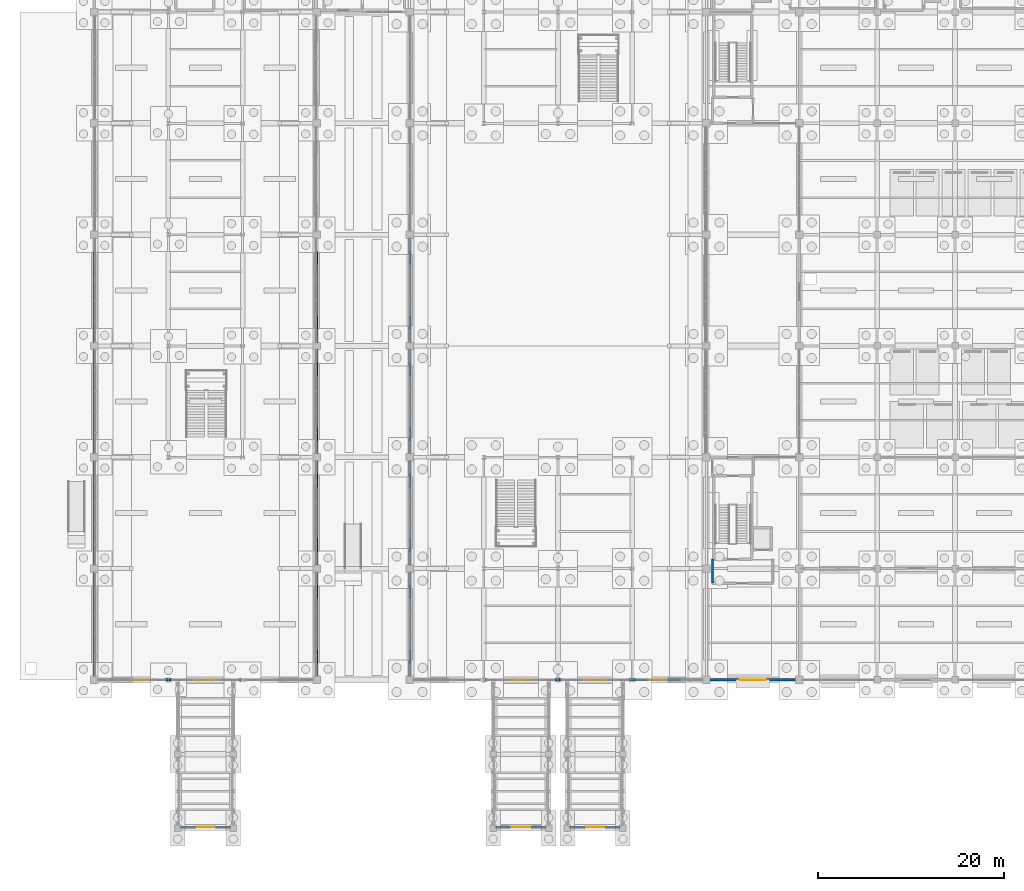
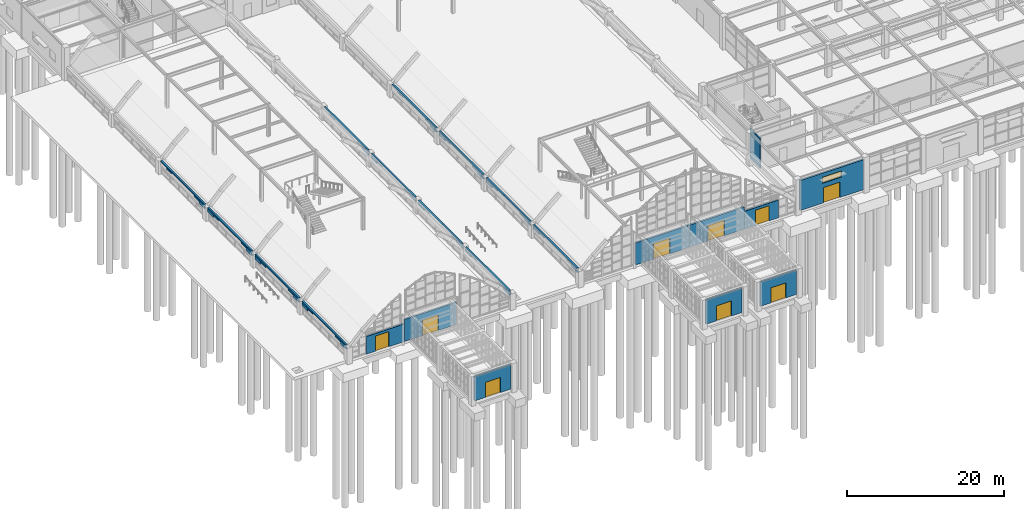
# One storey, part 100 of 129: 67 walls, 9 doors, 1 window, 10 openings.
"""IFC4 building model written with IfcOpenShell, lengths in metres."""

import ifcopenshell
import ifcopenshell.guid

model = None  # the IFC model being written
_history = None  # IfcOwnerHistory: only IFC2X3 demands one
_inside = {}  # id of a spatial element -> (the spatial element, [elements in it])
_under = {}  # id of a project, library or spatial element -> (it, [spatial elements below it])
_declared = {}  # id of a project -> (the project, [libraries it declares])
_typed = {}  # id of a type object -> (the type object, [elements of that type])
_made_of = {}  # id of a material, layer set ... -> (it, [elements and type objects made of it])


def new_model(schema):
    """Start an empty IFC model of exactly this schema.

    Asked for "IFC4X3", IfcOpenShell would pick the latest addendum, in which some entities
    have other attributes; the version numbers below select the first issue.
    IFC2X3 requires an IfcOwnerHistory on every rooted entity: one is made here for all.
    """
    global model, _history
    if schema == "IFC4X3":
        model = ifcopenshell.file(schema_version=(4, 3, 0, 0))
    else:
        model = ifcopenshell.file(schema=schema)
    _inside.clear()
    _under.clear()
    _declared.clear()
    _typed.clear()
    _made_of.clear()
    _history = None
    if model.schema == "IFC2X3":
        org = make("IfcOrganization", Name="unknown")
        user = make(
            "IfcPersonAndOrganization",
            ThePerson=make("IfcPerson", FamilyName="unknown"),
            TheOrganization=org,
        )
        app = make(
            "IfcApplication",
            ApplicationDeveloper=org,
            Version="unknown",
            ApplicationFullName="unknown",
            ApplicationIdentifier="unknown",
        )
        _history = make(
            "IfcOwnerHistory",
            OwningUser=user,
            OwningApplication=app,
            ChangeAction="ADDED",
            CreationDate=0,
        )
    return model


def make(cls, **values):
    """One entity of the class cls with the attributes given. An attribute that is None is left unset."""
    return model.create_entity(
        cls, **{name: value for name, value in values.items() if value is not None}
    )


def rooted(cls, **values):
    """An entity with a GlobalId (a new one), such as an element, a storey or a relation."""
    return make(cls, GlobalId=ifcopenshell.guid.new(), OwnerHistory=_history, **values)


def si_unit(unit_type, name, prefix=None):
    """IfcSIUnit, for example si_unit("LENGTHUNIT", "METRE", prefix="MILLI")."""
    return make("IfcSIUnit", UnitType=unit_type, Prefix=prefix, Name=name)


def assignment(units):
    """IfcUnitAssignment: the units of a project."""
    return None if units is None else make("IfcUnitAssignment", Units=units)


def point(xyz):
    """IfcCartesianPoint."""
    return None if xyz is None else make("IfcCartesianPoint", Coordinates=xyz)


def direction(xyz):
    """IfcDirection."""
    return None if xyz is None else make("IfcDirection", DirectionRatios=xyz)


def frame(location, z_axis=None, x_axis=None):
    """IfcAxis2Placement3D, a coordinate frame: its origin and axes. An axis left out is left unset."""
    return make(
        "IfcAxis2Placement3D",
        Location=point(location),
        Axis=direction(z_axis),
        RefDirection=direction(x_axis),
    )


def frame_2d(location, x_axis=None):
    """IfcAxis2Placement2D, a coordinate frame in the plane: its origin and x axis."""
    return make(
        "IfcAxis2Placement2D", Location=point(location), RefDirection=direction(x_axis)
    )


def origin():
    """The frame at (0, 0, 0) with its axes left unset."""
    return frame((0.0, 0.0, 0.0))


def place(relative_to, where):
    """IfcLocalPlacement: puts the frame where relative to a parent placement (None: the world)."""
    return make(
        "IfcLocalPlacement", PlacementRelTo=relative_to, RelativePlacement=where
    )


def context(
    kind, dimensions, precision=None, world=None, true_north=None, identifier=None
):
    """IfcGeometricRepresentationContext, for example the 3D "Model" context."""
    return make(
        "IfcGeometricRepresentationContext",
        ContextIdentifier=identifier,
        ContextType=kind,
        CoordinateSpaceDimension=dimensions,
        Precision=precision,
        WorldCoordinateSystem=world,
        TrueNorth=true_north,
    )


def subcontext(parent, identifier, kind, view, scale=None):
    """IfcGeometricRepresentationSubContext, for example "Body" below "Model"."""
    return make(
        "IfcGeometricRepresentationSubContext",
        ContextIdentifier=identifier,
        ContextType=kind,
        ParentContext=parent,
        TargetScale=scale,
        TargetView=view,
    )


def project(units=None, contexts=None):
    """IfcProject with its units and contexts."""
    return rooted(
        "IfcProject",
        Name="project",
        RepresentationContexts=contexts,
        UnitsInContext=assignment(units),
    )


def spatial(cls, under=None, at=None, **own):
    """A site, building, storey or space (cls), placed at a placement, below another one or the project."""
    s = rooted(cls, ObjectPlacement=at, **own)
    if under is not None:
        _under.setdefault(under.id(), (under, []))[1].append(s)
    return s


def profile(cls, at=None, kind="AREA", **sizes):
    """A parametric profile (cls). Its sizes go by their IFC names, for example OverallWidth=200.0."""
    return make(cls, ProfileType=kind, Position=at, **sizes)


def rectangle(**sizes):
    """IfcRectangleProfileDef."""
    return profile("IfcRectangleProfileDef", **sizes)


def extrude(swept, where, along, depth):
    """IfcExtrudedAreaSolid: the profile swept, set in the frame where, extruded along a direction by depth."""
    return make(
        "IfcExtrudedAreaSolid",
        SweptArea=swept,
        Position=where,
        ExtrudedDirection=direction(along),
        Depth=depth,
    )


def shape(context_of_items, identifier, shape_type, items):
    """IfcShapeRepresentation: the items that make up one representation, for example the "Body"."""
    return make(
        "IfcShapeRepresentation",
        ContextOfItems=context_of_items,
        RepresentationIdentifier=identifier,
        RepresentationType=shape_type,
        Items=items,
    )


def material(Name=None, Category=None):
    """IfcMaterial."""
    return make("IfcMaterial", Name=Name, Category=Category)


def layer(
    of_material, thickness, ventilated=None, Name=None, Category=None, Priority=None
):
    """IfcMaterialLayer: one layer of a wall or slab, of a material (None: an air gap)."""
    return make(
        "IfcMaterialLayer",
        Material=of_material,
        LayerThickness=thickness,
        IsVentilated=ventilated,
        Name=Name,
        Category=Category,
        Priority=Priority,
    )


def layer_set(layers, Name=None):
    """IfcMaterialLayerSet."""
    return make("IfcMaterialLayerSet", MaterialLayers=layers, LayerSetName=Name)


def made_of(thing, what):
    """Note that an element or type object is made of a material, layer set ...; save() writes the relation."""
    if what is not None:
        _made_of.setdefault(what.id(), (what, []))[1].append(thing)
    return thing


def type_object(cls, material=None, **own):
    """A type object (cls), such as IfcWallType, which elements share."""
    return made_of(rooted(cls, **own), material)


def element(
    cls,
    number,
    at=None,
    inside=None,
    cuts=None,
    type_object=None,
    material=None,
    context=None,
    identifier="Body",
    shape_type=None,
    held_by="IfcProductDefinitionShape",
    body=None,
    shapes=None,
    **own,
):
    """One element of the class cls, such as IfcWall. Its Tag is "e" and its number.

    at: its placement. inside: the storey or other place that contains it. cuts: it is an
    opening in that element (IfcRelVoidsElement). A single representation is given by context,
    identifier, shape_type and body (its items); several are given by shapes. held_by: the class
    of the entity that holds the representations. save() writes the other relations.
    """
    e = rooted(cls, Tag="e%d" % number, ObjectPlacement=at, **own)
    if body is not None:
        shapes = [shape(context, identifier, shape_type, body)]
    if shapes is not None:
        e.Representation = make(held_by, Representations=shapes)
    if inside is not None:
        _inside.setdefault(inside.id(), (inside, []))[1].append(e)
    if cuts is not None:
        rooted(
            "IfcRelVoidsElement", RelatingBuildingElement=cuts, RelatedOpeningElement=e
        )
    if type_object is not None:
        _typed.setdefault(type_object.id(), (type_object, []))[1].append(e)
    return made_of(e, material)


def fill(opening, filler):
    """IfcRelFillsElement: the door or window that sits in an opening."""
    return rooted(
        "IfcRelFillsElement",
        RelatingOpeningElement=opening,
        RelatedBuildingElement=filler,
    )


def aggregate(whole, parts):
    """IfcRelAggregates: a whole, such as a stair, and the parts it consists of."""
    return rooted("IfcRelAggregates", RelatingObject=whole, RelatedObjects=parts)


def save(model, path):
    """Write the relations noted so far, then the file.

    IfcRelAggregates (storeys below a building ...), IfcRelContainedInSpatialStructure (elements
    in a storey), IfcRelDefinesByType, IfcRelAssociatesMaterial and IfcRelDeclares: one each for
    every whole, place, type object, material and project.
    """
    for whole, parts in _under.values():
        aggregate(whole, parts)
    for where, things in _inside.values():
        rooted(
            "IfcRelContainedInSpatialStructure",
            RelatedElements=things,
            RelatingStructure=where,
        )
    for kind, things in _typed.values():
        rooted("IfcRelDefinesByType", RelatedObjects=things, RelatingType=kind)
    for what, things in _made_of.values():
        rooted("IfcRelAssociatesMaterial", RelatedObjects=things, RelatingMaterial=what)
    for by, libraries in _declared.values():
        rooted("IfcRelDeclares", RelatingContext=by, RelatedDefinitions=libraries)
    model.write(path)


model = new_model("IFC4")

# Units and contexts
model_context = context("Model", 3, precision=1e-05, world=origin(), true_north=direction((0.0, 1.0)))
body_context = subcontext(model_context, "Body", "Model", "MODEL_VIEW")
ifc_project = project(units=[si_unit("LENGTHUNIT", "METRE"), si_unit("AREAUNIT", "SQUARE_METRE"), si_unit("VOLUMEUNIT", "CUBIC_METRE"), si_unit("PLANEANGLEUNIT", "RADIAN"), si_unit("MASSUNIT", "GRAM", prefix="KILO")], contexts=[model_context])

# Site, building, storey
site_placement = place(None, origin())
site = spatial("IfcSite", under=ifc_project, at=site_placement, CompositionType="ELEMENT")
building_placement = place(site_placement, origin())
building = spatial("IfcBuilding", under=site, at=building_placement, Name="Sitalva Quay Ferry Terminal", CompositionType="ELEMENT")
storey_placement = place(building_placement, origin())
storey = spatial("IfcBuildingStorey", under=building, at=storey_placement, Name="L01", CompositionType="ELEMENT", Elevation=0.0)

# Walls
ifc_material_1 = material(Name="Concrete C40/50", Category="concrete")
ifc_layer_1 = layer(ifc_material_1, 0.215087890625)
ifc_layer_set_1 = layer_set([ifc_layer_1], Name="Concrete C40/50")
wall_type_1 = type_object("IfcWallType", Name="Wall_ArchHaunchIn_C40", PredefinedType="SOLIDWALL", material=ifc_layer_set_1)
for number, where, z_axis, x_axis, name in (
    (1, (8.0, 7.85009765625, 1.639892578125), (0.0, 0.0, 1.0), (0.0, 1.0, 0.0), "V2-W shallow-arch inner haunch S EW-L01-008"),
    (2, (8.0, 14.85009765625, 1.639892578125), (0.0, 0.0, 1.0), (0.0, 1.0, 0.0), "V2-W shallow-arch inner haunch N EW-L01-009"),
    (3, (32.0, 7.85009765625, 1.639892578125), (0.0, 0.0, 1.0), (0.0, 1.0, 0.0), "V2-E shallow-arch inner haunch S EW-L01-013"),
    (4, (32.0, 14.85009765625, 1.639892578125), (0.0, 0.0, 1.0), (0.0, 1.0, 0.0), "V2-E shallow-arch inner haunch N EW-L01-014"),
    (5, (42.0, 7.85009765625, 1.639892578125), (0.0, 0.0, 1.0), (0.0, 1.0, 0.0), "V1-W shallow-arch inner haunch S EW-L01-018"),
    (6, (42.0, 14.85009765625, 1.639892578125), (0.0, 0.0, 1.0), (0.0, 1.0, 0.0), "V1-W shallow-arch inner haunch N EW-L01-019"),
    (7, (8.0, 19.85009765625, 1.639892578125), (0.0, 0.0, 1.0), (0.0, 1.0, 0.0), "V2-W shallow-arch inner haunch S EW-L01-023"),
    (8, (8.0, 26.85009765625, 1.639892578125), (0.0, 0.0, 1.0), (0.0, 1.0, 0.0), "V2-W shallow-arch inner haunch N EW-L01-024"),
    (9, (32.0, 19.85009765625, 1.639892578125), (0.0, 0.0, 1.0), (0.0, 1.0, 0.0), "V2-E shallow-arch inner haunch S EW-L01-028"),
    (10, (32.0, 26.85009765625, 1.639892578125), (0.0, 0.0, 1.0), (0.0, 1.0, 0.0), "V2-E shallow-arch inner haunch N EW-L01-029"),
    (11, (42.0, 19.85009765625, 1.639892578125), (0.0, 0.0, 1.0), (0.0, 1.0, 0.0), "V1-W shallow-arch inner haunch S EW-L01-033"),
    (12, (42.0, 26.85009765625, 1.639892578125), (0.0, 0.0, 1.0), (0.0, 1.0, 0.0), "V1-W shallow-arch inner haunch N EW-L01-034"),
    (13, (8.0, 31.85009765625, 1.639892578125), (0.0, 0.0, 1.0), (0.0, 1.0, 0.0), "V2-W shallow-arch inner haunch S EW-L01-038"),
    (14, (8.0, 38.85009765625, 1.639892578125), (0.0, 0.0, 1.0), (0.0, 1.0, 0.0), "V2-W shallow-arch inner haunch N EW-L01-039"),
    (15, (32.0, 31.85009765625, 1.639892578125), (0.0, 0.0, 1.0), (0.0, 1.0, 0.0), "V2-E shallow-arch inner haunch S EW-L01-043"),
    (16, (32.0, 38.85009765625, 1.639892578125), (0.0, 0.0, 1.0), (0.0, 1.0, 0.0), "V2-E shallow-arch inner haunch N EW-L01-044"),
    (17, (42.0, 31.85009765625, 1.639892578125), (0.0, 0.0, 1.0), (0.0, 1.0, 0.0), "V1-W shallow-arch inner haunch S EW-L01-048"),
    (18, (42.0, 38.85009765625, 1.639892578125), (0.0, 0.0, 1.0), (0.0, 1.0, 0.0), "V1-W shallow-arch inner haunch N EW-L01-049"),
    (19, (8.0, 43.85009765625, 1.639892578125), (0.0, 0.0, 1.0), (0.0, 1.0, 0.0), "V2-W shallow-arch inner haunch S EW-L01-053"),
    (20, (8.0, 50.85009765625, 1.639892578125), (0.0, 0.0, 1.0), (0.0, 1.0, 0.0), "V2-W shallow-arch inner haunch N EW-L01-054"),
    (21, (32.0, 43.85009765625, 1.639892578125), (0.0, 0.0, 1.0), (0.0, 1.0, 0.0), "V2-E shallow-arch inner haunch S EW-L01-058"),
    (22, (32.0, 50.85009765625, 1.639892578125), (0.0, 0.0, 1.0), (0.0, 1.0, 0.0), "V2-E shallow-arch inner haunch N EW-L01-059"),
    (23, (42.0, 43.85009765625, 1.639892578125), (0.0, 0.0, 1.0), (0.0, 1.0, 0.0), "V1-W shallow-arch inner haunch S EW-L01-063"),
    (24, (42.0, 50.85009765625, 1.639892578125), (0.0, 0.0, 1.0), (0.0, 1.0, 0.0), "V1-W shallow-arch inner haunch N EW-L01-064"),
):
    element("IfcWall", number, at=place(storey_placement, frame(where, z_axis=z_axis, x_axis=x_axis)), inside=storey, type_object=wall_type_1, Name=name, PredefinedType="SOLIDWALL", context=body_context, shape_type="SweptSolid", body=[
        extrude(rectangle(XDim=1.2998046875, YDim=0.215087890625, at=frame_2d((0.64990234375, 0.0))), origin(), (0.0, 0.0, 1.0), 0.239990234375),
    ])
ifc_material_2 = material(Name="Concrete C40/50", Category="concrete")
ifc_layer_2 = layer(ifc_material_2, 0.235107421875)
ifc_layer_set_2 = layer_set([ifc_layer_2], Name="Concrete C40/50")
wall_type_2 = type_object("IfcWallType", Name="Wall_ArchHaunchOut_C40", PredefinedType="SOLIDWALL", material=ifc_layer_set_2)
for number, where, z_axis, x_axis, name in (
    (25, (8.0, 6.39990234375, 1.3798828125), (0.0, 0.0, 1.0), (0.0, 1.0, 0.0), "V2-W shallow-arch outer haunch S EW-L01-007"),
    (26, (8.0, 16.14990234375, 1.3798828125), (0.0, 0.0, 1.0), (0.0, 1.0, 0.0), "V2-W shallow-arch outer haunch N EW-L01-010"),
    (27, (32.0, 6.39990234375, 1.3798828125), (0.0, 0.0, 1.0), (0.0, 1.0, 0.0), "V2-E shallow-arch outer haunch S EW-L01-012"),
    (28, (32.0, 16.14990234375, 1.3798828125), (0.0, 0.0, 1.0), (0.0, 1.0, 0.0), "V2-E shallow-arch outer haunch N EW-L01-015"),
    (29, (42.0, 6.39990234375, 1.3798828125), (0.0, 0.0, 1.0), (0.0, 1.0, 0.0), "V1-W shallow-arch outer haunch S EW-L01-017"),
    (30, (42.0, 16.14990234375, 1.3798828125), (0.0, 0.0, 1.0), (0.0, 1.0, 0.0), "V1-W shallow-arch outer haunch N EW-L01-020"),
    (31, (8.0, 18.39990234375, 1.3798828125), (0.0, 0.0, 1.0), (0.0, 1.0, 0.0), "V2-W shallow-arch outer haunch S EW-L01-022"),
    (32, (8.0, 28.14990234375, 1.3798828125), (0.0, 0.0, 1.0), (0.0, 1.0, 0.0), "V2-W shallow-arch outer haunch N EW-L01-025"),
    (33, (32.0, 18.39990234375, 1.3798828125), (0.0, 0.0, 1.0), (0.0, 1.0, 0.0), "V2-E shallow-arch outer haunch S EW-L01-027"),
    (34, (32.0, 28.14990234375, 1.3798828125), (0.0, 0.0, 1.0), (0.0, 1.0, 0.0), "V2-E shallow-arch outer haunch N EW-L01-030"),
    (35, (42.0, 18.39990234375, 1.3798828125), (0.0, 0.0, 1.0), (0.0, 1.0, 0.0), "V1-W shallow-arch outer haunch S EW-L01-032"),
    (36, (42.0, 28.14990234375, 1.3798828125), (0.0, 0.0, 1.0), (0.0, 1.0, 0.0), "V1-W shallow-arch outer haunch N EW-L01-035"),
    (37, (8.0, 30.39990234375, 1.3798828125), (0.0, 0.0, 1.0), (0.0, 1.0, 0.0), "V2-W shallow-arch outer haunch S EW-L01-037"),
    (38, (8.0, 40.14990234375, 1.3798828125), (0.0, 0.0, 1.0), (0.0, 1.0, 0.0), "V2-W shallow-arch outer haunch N EW-L01-040"),
    (39, (32.0, 30.39990234375, 1.3798828125), (0.0, 0.0, 1.0), (0.0, 1.0, 0.0), "V2-E shallow-arch outer haunch S EW-L01-042"),
    (40, (32.0, 40.14990234375, 1.3798828125), (0.0, 0.0, 1.0), (0.0, 1.0, 0.0), "V2-E shallow-arch outer haunch N EW-L01-045"),
    (41, (42.0, 30.39990234375, 1.3798828125), (0.0, 0.0, 1.0), (0.0, 1.0, 0.0), "V1-W shallow-arch outer haunch S EW-L01-047"),
    (42, (42.0, 40.14990234375, 1.3798828125), (0.0, 0.0, 1.0), (0.0, 1.0, 0.0), "V1-W shallow-arch outer haunch N EW-L01-050"),
    (43, (8.0, 42.39990234375, 1.3798828125), (0.0, 0.0, 1.0), (0.0, 1.0, 0.0), "V2-W shallow-arch outer haunch S EW-L01-052"),
    (44, (32.0, 42.39990234375, 1.3798828125), (0.0, 0.0, 1.0), (0.0, 1.0, 0.0), "V2-E shallow-arch outer haunch S EW-L01-057"),
    (45, (42.0, 42.39990234375, 1.3798828125), (0.0, 0.0, 1.0), (0.0, 1.0, 0.0), "V1-W shallow-arch outer haunch S EW-L01-062"),
):
    element("IfcWall", number, at=place(storey_placement, frame(where, z_axis=z_axis, x_axis=x_axis)), inside=storey, type_object=wall_type_2, Name=name, PredefinedType="SOLIDWALL", context=body_context, shape_type="SweptSolid", body=[
        extrude(rectangle(XDim=1.4501953125, YDim=0.235107421875, at=frame_2d((0.72509765625, 0.0))), origin(), (0.0, 0.0, 1.0), 0.5),
    ])
ifc_material_3 = material(Name="Concrete C40/50", Category="concrete")
ifc_layer_3 = layer(ifc_material_3, 0.2451171875)
ifc_layer_set_3 = layer_set([ifc_layer_3], Name="Concrete C40/50")
wall_type_3 = type_object("IfcWallType", Name="Wall_ArchSpandrel_C40", PredefinedType="SOLIDWALL", material=ifc_layer_set_3)
for number, where, z_axis, x_axis, name in (
    (46, (8.0, 6.39990234375, 1.8798828125), (0.0, 0.0, 1.0), (0.0, 1.0, 0.0), "V2-W shallow-arch Concrete C40/50 spandrel fascia EW-L01-006"),
    (47, (32.0, 6.39990234375, 1.8798828125), (0.0, 0.0, 1.0), (0.0, 1.0, 0.0), "V2-E shallow-arch Concrete C40/50 spandrel fascia EW-L01-011"),
    (48, (42.0, 6.39990234375, 1.8798828125), (0.0, 0.0, 1.0), (0.0, 1.0, 0.0), "V1-W shallow-arch Concrete C40/50 spandrel fascia EW-L01-016"),
    (49, (8.0, 18.39990234375, 1.8798828125), (0.0, 0.0, 1.0), (0.0, 1.0, 0.0), "V2-W shallow-arch Concrete C40/50 spandrel fascia EW-L01-021"),
    (50, (32.0, 18.39990234375, 1.8798828125), (0.0, 0.0, 1.0), (0.0, 1.0, 0.0), "V2-E shallow-arch Concrete C40/50 spandrel fascia EW-L01-026"),
    (51, (42.0, 18.39990234375, 1.8798828125), (0.0, 0.0, 1.0), (0.0, 1.0, 0.0), "V1-W shallow-arch Concrete C40/50 spandrel fascia EW-L01-031"),
    (52, (8.0, 30.39990234375, 1.8798828125), (0.0, 0.0, 1.0), (0.0, 1.0, 0.0), "V2-W shallow-arch Concrete C40/50 spandrel fascia EW-L01-036"),
    (53, (32.0, 30.39990234375, 1.8798828125), (0.0, 0.0, 1.0), (0.0, 1.0, 0.0), "V2-E shallow-arch Concrete C40/50 spandrel fascia EW-L01-041"),
    (54, (42.0, 30.39990234375, 1.8798828125), (0.0, 0.0, 1.0), (0.0, 1.0, 0.0), "V1-W shallow-arch Concrete C40/50 spandrel fascia EW-L01-046"),
    (55, (8.0, 42.39990234375, 1.8798828125), (0.0, 0.0, 1.0), (0.0, 1.0, 0.0), "V2-W shallow-arch Concrete C40/50 spandrel fascia EW-L01-051"),
    (56, (32.0, 42.39990234375, 1.8798828125), (0.0, 0.0, 1.0), (0.0, 1.0, 0.0), "V2-E shallow-arch Concrete C40/50 spandrel fascia EW-L01-056"),
    (57, (42.0, 42.39990234375, 1.8798828125), (0.0, 0.0, 1.0), (0.0, 1.0, 0.0), "V1-W shallow-arch Concrete C40/50 spandrel fascia EW-L01-061"),
):
    element("IfcWall", number, at=place(storey_placement, frame(where, z_axis=z_axis, x_axis=x_axis)), inside=storey, type_object=wall_type_3, Name=name, PredefinedType="SOLIDWALL", context=body_context, shape_type="SweptSolid", body=[
        extrude(rectangle(XDim=11.2001953125, YDim=0.2451171875, at=frame_2d((5.60009765625, 0.0))), origin(), (0.0, 0.0, 1.0), 0.22021484375),
    ])

# Wall, opening, door
ifc_material_4 = material(Name="Marine Concrete C40/50", Category="concrete")
ifc_layer_4 = layer(ifc_material_4, 0.280029296875)
ifc_layer_set_4 = layer_set([ifc_layer_4], Name="Marine Concrete C40/50")
wall_type_4 = type_object("IfcWallType", Name="Wall_ExtMarine_280", PredefinedType="SOLIDWALL", material=ifc_layer_set_4)
wall_1_placement = place(storey_placement, frame((17.3349609375, -9.8798828125, 0.0), z_axis=(0.0, 0.0, 1.0), x_axis=(1.0, 0.0, 0.0)))
wall_1 = element("IfcWall", 58, at=wall_1_placement, inside=storey, type_object=wall_type_4, Name="Boarding bridge BB1 marine berth portal EW-L01-111", PredefinedType="SOLIDWALL", context=body_context, shape_type="SweptSolid", body=[
    extrude(rectangle(XDim=5.330078125, YDim=0.280029296875, at=frame_2d((2.6650390625, 0.0))), origin(), (0.0, 0.0, 1.0), 3.77197265625),
])
opening_1_placement = place(wall_1_placement, frame((1.56494140625, 0.0, 0.0)))
opening_1 = element("IfcOpeningElement", 59, at=opening_1_placement, cuts=wall_1, Name="Opening ED-L01-006", PredefinedType="OPENING", context=body_context, shape_type="SweptSolid", body=[
    extrude(rectangle(XDim=2.199951171875, YDim=2.35009765625, at=frame_2d((1.10009765625, 1.175048828125))), frame((0.0, 0.14990234375, 0.0), z_axis=(0.0, -1.0, 0.0), x_axis=(1.0, 0.0, 0.0)), (0.0, 0.0, 1.0), 0.300048828125),
])
ifc_material_5 = material(Name="Marine Anodised Aluminium", Category="aluminium")
door_type_1 = type_object("IfcDoorType", Name="Door_BoardingGate_2200x2350", OperationType="SLIDING_TO_LEFT", PredefinedType="DOOR", material=ifc_material_5)
door_1_placement = place(opening_1_placement, origin())
door_1 = element("IfcDoor", 60, at=door_1_placement, inside=storey, type_object=door_type_1, Name="EDOOR-ED-L01-006 Ferry pontoon passenger embarkation door BB1 ED-L01-006", OperationType="SLIDING_TO_LEFT", OverallHeight=2.35009765625, OverallWidth=2.199951171875, PredefinedType="DOOR", context=body_context, shape_type="SweptSolid", body=[
    extrude(rectangle(XDim=2.199951171875, YDim=2.35009765625, at=frame_2d((1.10009765625, 1.175048828125))), frame((0.0, 0.02490234375, 0.0), z_axis=(0.0, -1.0, 0.0), x_axis=(1.0, 0.0, 0.0)), (0.0, 0.0, 1.0), 0.050048828125),
])
fill(opening_1, door_1)

wall_2_placement = place(storey_placement, frame((51.3349609375, -9.8798828125, 0.0), z_axis=(0.0, 0.0, 1.0), x_axis=(1.0, 0.0, 0.0)))
wall_2 = element("IfcWall", 61, at=wall_2_placement, inside=storey, type_object=wall_type_4, Name="Boarding bridge BB2 marine berth portal EW-L01-112", PredefinedType="SOLIDWALL", context=body_context, shape_type="SweptSolid", body=[
    extrude(rectangle(XDim=5.330078125, YDim=0.280029296875, at=frame_2d((2.6650390625, 0.0))), origin(), (0.0, 0.0, 1.0), 3.77197265625),
])
opening_2_placement = place(wall_2_placement, frame((1.56494140625, 0.0, 0.0)))
opening_2 = element("IfcOpeningElement", 62, at=opening_2_placement, cuts=wall_2, Name="Opening ED-L01-007", PredefinedType="OPENING", context=body_context, shape_type="SweptSolid", body=[
    extrude(rectangle(XDim=2.199951171875, YDim=2.35009765625, at=frame_2d((1.10009765625, 1.175048828125))), frame((0.0, 0.14990234375, 0.0), z_axis=(0.0, -1.0, 0.0), x_axis=(1.0, 0.0, 0.0)), (0.0, 0.0, 1.0), 0.300048828125),
])
door_2_placement = place(opening_2_placement, origin())
door_2 = element("IfcDoor", 63, at=door_2_placement, inside=storey, type_object=door_type_1, Name="EDOOR-ED-L01-007 Ferry pontoon passenger embarkation door BB2 ED-L01-007", OperationType="SLIDING_TO_LEFT", OverallHeight=2.35009765625, OverallWidth=2.199951171875, PredefinedType="DOOR", context=body_context, shape_type="SweptSolid", body=[
    extrude(rectangle(XDim=2.199951171875, YDim=2.35009765625, at=frame_2d((1.10009765625, 1.175048828125))), frame((0.0, 0.02490234375, 0.0), z_axis=(0.0, -1.0, 0.0), x_axis=(1.0, 0.0, 0.0)), (0.0, 0.0, 1.0), 0.050048828125),
])
fill(opening_2, door_2)

wall_3_placement = place(storey_placement, frame((59.3349609375, -9.8798828125, 0.0), z_axis=(0.0, 0.0, 1.0), x_axis=(1.0, 0.0, 0.0)))
wall_3 = element("IfcWall", 64, at=wall_3_placement, inside=storey, type_object=wall_type_4, Name="Boarding bridge BB3 marine berth portal EW-L01-113", PredefinedType="SOLIDWALL", context=body_context, shape_type="SweptSolid", body=[
    extrude(rectangle(XDim=5.330078125, YDim=0.280029296875, at=frame_2d((2.6650390625, 0.0))), origin(), (0.0, 0.0, 1.0), 3.77197265625),
])
opening_3_placement = place(wall_3_placement, frame((1.56494140625, 0.0, 0.0)))
opening_3 = element("IfcOpeningElement", 65, at=opening_3_placement, cuts=wall_3, Name="Opening ED-L01-008", PredefinedType="OPENING", context=body_context, shape_type="SweptSolid", body=[
    extrude(rectangle(XDim=2.199951171875, YDim=2.35009765625, at=frame_2d((1.10009765625, 1.175048828125))), frame((0.0, 0.14990234375, 0.0), z_axis=(0.0, -1.0, 0.0), x_axis=(1.0, 0.0, 0.0)), (0.0, 0.0, 1.0), 0.300048828125),
])
door_3_placement = place(opening_3_placement, origin())
door_3 = element("IfcDoor", 66, at=door_3_placement, inside=storey, type_object=door_type_1, Name="EDOOR-ED-L01-008 Ferry pontoon passenger embarkation door BB3 ED-L01-008", OperationType="SLIDING_TO_LEFT", OverallHeight=2.35009765625, OverallWidth=2.199951171875, PredefinedType="DOOR", context=body_context, shape_type="SweptSolid", body=[
    extrude(rectangle(XDim=2.199951171875, YDim=2.35009765625, at=frame_2d((1.10009765625, 1.175048828125))), frame((0.0, 0.02490234375, 0.0), z_axis=(0.0, -1.0, 0.0), x_axis=(1.0, 0.0, 0.0)), (0.0, 0.0, 1.0), 0.050048828125),
])
fill(opening_3, door_3)

# Wall, openings, door, window
wall_4_placement = place(storey_placement, frame((83.64990234375, 6.0, 0.0), z_axis=(0.0, 0.0, 1.0), x_axis=(-1.0, 0.0, 0.0)))
wall_4 = element("IfcWall", 67, at=wall_4_placement, inside=storey, type_object=wall_type_4, Name="South-east quay concourse portal EW-L01-114", PredefinedType="SOLIDWALL", context=body_context, shape_type="SweptSolid", body=[
    extrude(rectangle(XDim=9.2998046875, YDim=0.280029296875, at=frame_2d((4.64990234375, 0.0))), origin(), (0.0, 0.0, 1.0), 4.657958984375),
])
opening_4_placement = place(wall_4_placement, frame((3.449951171875, 0.0, 0.0)))
opening_4 = element("IfcOpeningElement", 68, at=opening_4_placement, cuts=wall_4, Name="Opening ED-L01-009", PredefinedType="OPENING", context=body_context, shape_type="SweptSolid", body=[
    extrude(rectangle(XDim=2.39990234375, YDim=2.39990234375, at=frame_2d((1.199951171875, 1.199951171875))), frame((0.0, 0.14990234375, 0.0), z_axis=(0.0, -1.0, 0.0), x_axis=(1.0, 0.0, 0.0)), (0.0, 0.0, 1.0), 0.300048828125),
])
opening_5_placement = place(wall_4_placement, frame((3.25, 0.0, 3.10009765625)))
opening_5 = element("IfcOpeningElement", 69, at=opening_5_placement, cuts=wall_4, Name="Opening WN-L01-001", PredefinedType="OPENING", context=body_context, shape_type="SweptSolid", body=[
    extrude(rectangle(XDim=2.800048828125, YDim=0.949951171875, at=frame_2d((1.39990234375, 0.47509765625))), frame((0.0, 0.14990234375, 0.0), z_axis=(0.0, -1.0, 0.0), x_axis=(1.0, 0.0, 0.0)), (0.0, 0.0, 1.0), 0.300048828125),
])
ifc_material_6 = material(Name="Anodised Aluminium & Toughened Glass", Category="aluminium")
door_type_2 = type_object("IfcDoorType", Name="Door_Entrance_2400x2400", OperationType="DOUBLE_DOOR_SINGLE_SWING", PredefinedType="DOOR", material=ifc_material_6)
door_4_placement = place(opening_4_placement, origin())
door_4 = element("IfcDoor", 70, at=door_4_placement, inside=storey, type_object=door_type_2, Name="EDOOR-ED-L01-009 South-east quay passenger concourse exit door ED-L01-009", OperationType="DOUBLE_DOOR_SINGLE_SWING", OverallHeight=2.39990234375, OverallWidth=2.39990234375, PredefinedType="DOOR", context=body_context, shape_type="SweptSolid", body=[
    extrude(rectangle(XDim=2.39990234375, YDim=2.39990234375, at=frame_2d((1.199951171875, 1.199951171875))), frame((0.0, 0.02490234375, 0.0), z_axis=(0.0, -1.0, 0.0), x_axis=(1.0, 0.0, 0.0)), (0.0, 0.0, 1.0), 0.050048828125),
])
fill(opening_4, door_4)
ifc_material_7 = material(Name="Anodised Aluminium & Low-E Glass", Category="aluminium")
window_type = type_object("IfcWindowType", Name="Win_Clerestory_2800x950", PartitioningType="SINGLE_PANEL", PredefinedType="WINDOW", material=ifc_material_7)
window_placement = place(opening_5_placement, origin())
window = element("IfcWindow", 71, at=window_placement, inside=storey, type_object=window_type, Name="Embarkation transom window WN-L01-001", OverallHeight=0.949951171875, OverallWidth=2.800048828125, PartitioningType="SINGLE_PANEL", PredefinedType="WINDOW", context=body_context, shape_type="SweptSolid", body=[
    extrude(rectangle(XDim=2.800048828125, YDim=0.949951171875, at=frame_2d((1.39990234375, 0.47509765625))), frame((0.0, 0.030029296875, 0.0), z_axis=(0.0, -1.0, 0.0), x_axis=(1.0, 0.0, 0.0)), (0.0, 0.0, 1.0), 0.06005859375),
])
fill(opening_5, window)

# Wall, opening, door
ifc_material_8 = material(Name="Concrete C40/50", Category="concrete")
ifc_layer_5 = layer(ifc_material_8, 0.260009765625)
ifc_layer_set_5 = layer_set([ifc_layer_5], Name="Concrete C40/50")
wall_type_5 = type_object("IfcWallType", Name="Wall_ExtSolid_260", PredefinedType="SOLIDWALL", material=ifc_layer_set_5)
wall_5_placement = place(storey_placement, frame((10.60009765625, 6.0, 0.0), z_axis=(0.0, 0.0, 1.0), x_axis=(1.0, 0.0, 0.0)))
wall_5 = element("IfcWall", 72, at=wall_5_placement, inside=storey, type_object=wall_type_5, Name="V2 south quay entrance portal EW-L01-001", PredefinedType="SOLIDWALL", context=body_context, shape_type="SweptSolid", body=[
    extrude(rectangle(XDim=5.583984375, YDim=0.260009765625, at=frame_2d((2.7919921875, 0.0))), origin(), (0.0, 0.0, 1.0), 2.75),
])
opening_6_placement = place(wall_5_placement, frame((1.300048828125, 0.0, 0.0)))
opening_6 = element("IfcOpeningElement", 73, at=opening_6_placement, cuts=wall_5, Name="Opening ED-L01-001", PredefinedType="OPENING", context=body_context, shape_type="SweptSolid", body=[
    extrude(rectangle(XDim=2.0, YDim=2.35009765625, at=frame_2d((1.0, 1.175048828125))), frame((0.0, 0.139892578125, 0.0), z_axis=(0.0, -1.0, 0.0), x_axis=(1.0, 0.0, 0.0)), (0.0, 0.0, 1.0), 0.280029296875),
])
ifc_material_9 = material(Name="Anodised Aluminium & Toughened Glass", Category="aluminium")
door_type_3 = type_object("IfcDoorType", Name="Door_DoubleGlazed_2000x2350", OperationType="DOUBLE_DOOR_SINGLE_SWING", PredefinedType="DOOR", material=ifc_material_9)
door_5_placement = place(opening_6_placement, origin())
door_5 = element("IfcDoor", 74, at=door_5_placement, inside=storey, type_object=door_type_3, Name="EDOOR-ED-L01-001 V2 south river quay entrance door ED-L01-001", OperationType="DOUBLE_DOOR_SINGLE_SWING", OverallHeight=2.35009765625, OverallWidth=2.0, PredefinedType="DOOR", context=body_context, shape_type="SweptSolid", body=[
    extrude(rectangle(XDim=2.0, YDim=2.35009765625, at=frame_2d((1.0, 1.175048828125))), frame((0.0, 0.02490234375, 0.0), z_axis=(0.0, -1.0, 0.0), x_axis=(1.0, 0.0, 0.0)), (0.0, 0.0, 1.0), 0.050048828125),
])
fill(opening_6, door_5)

wall_6_placement = place(storey_placement, frame((16.172119140625, 6.0, 0.0), z_axis=(0.0, 0.0, 1.0), x_axis=(1.0, 0.0, 0.0)))
wall_6 = element("IfcWall", 75, at=wall_6_placement, inside=storey, type_object=wall_type_5, Name="V2 south BB1 embarkation portal EW-L01-002", PredefinedType="SOLIDWALL", context=body_context, shape_type="SweptSolid", body=[
    extrude(rectangle(XDim=7.656982421875, YDim=0.260009765625, at=frame_2d((3.82861328125, 0.0))), origin(), (0.0, 0.0, 1.0), 3.43505859375),
])
opening_7_placement = place(wall_6_placement, frame((2.6279296875, 0.0, 0.0)))
opening_7 = element("IfcOpeningElement", 76, at=opening_7_placement, cuts=wall_6, Name="Opening ED-L01-002", PredefinedType="OPENING", context=body_context, shape_type="SweptSolid", body=[
    extrude(rectangle(XDim=2.39990234375, YDim=2.39990234375, at=frame_2d((1.199951171875, 1.199951171875))), frame((0.0, 0.139892578125, 0.0), z_axis=(0.0, -1.0, 0.0), x_axis=(1.0, 0.0, 0.0)), (0.0, 0.0, 1.0), 0.280029296875),
])
door_6_placement = place(opening_7_placement, origin())
door_6 = element("IfcDoor", 77, at=door_6_placement, inside=storey, type_object=door_type_2, Name="EDOOR-ED-L01-002 Boarding bridge BB1 concourse portal door ED-L01-002", OperationType="DOUBLE_DOOR_SINGLE_SWING", OverallHeight=2.39990234375, OverallWidth=2.39990234375, PredefinedType="DOOR", context=body_context, shape_type="SweptSolid", body=[
    extrude(rectangle(XDim=2.39990234375, YDim=2.39990234375, at=frame_2d((1.199951171875, 1.199951171875))), frame((0.0, 0.02490234375, 0.0), z_axis=(0.0, -1.0, 0.0), x_axis=(1.0, 0.0, 0.0)), (0.0, 0.0, 1.0), 0.050048828125),
])
fill(opening_7, door_6)

wall_7_placement = place(storey_placement, frame((50.172119140625, 6.0, 0.0), z_axis=(0.0, 0.0, 1.0), x_axis=(1.0, 0.0, 0.0)))
wall_7 = element("IfcWall", 78, at=wall_7_placement, inside=storey, type_object=wall_type_5, Name="V1 south BB2 embarkation portal EW-L01-003", PredefinedType="SOLIDWALL", context=body_context, shape_type="SweptSolid", body=[
    extrude(rectangle(XDim=8.011962890625, YDim=0.260009765625, at=frame_2d((4.005859375, 0.0))), origin(), (0.0, 0.0, 1.0), 3.43505859375),
])
opening_8_placement = place(wall_7_placement, frame((2.6279296875, 0.0, 0.0)))
opening_8 = element("IfcOpeningElement", 79, at=opening_8_placement, cuts=wall_7, Name="Opening ED-L01-003", PredefinedType="OPENING", context=body_context, shape_type="SweptSolid", body=[
    extrude(rectangle(XDim=2.39990234375, YDim=2.39990234375, at=frame_2d((1.199951171875, 1.199951171875))), frame((0.0, 0.139892578125, 0.0), z_axis=(0.0, -1.0, 0.0), x_axis=(1.0, 0.0, 0.0)), (0.0, 0.0, 1.0), 0.280029296875),
])
door_7_placement = place(opening_8_placement, origin())
door_7 = element("IfcDoor", 80, at=door_7_placement, inside=storey, type_object=door_type_2, Name="EDOOR-ED-L01-003 Boarding bridge BB2 concourse portal door ED-L01-003", OperationType="DOUBLE_DOOR_SINGLE_SWING", OverallHeight=2.39990234375, OverallWidth=2.39990234375, PredefinedType="DOOR", context=body_context, shape_type="SweptSolid", body=[
    extrude(rectangle(XDim=2.39990234375, YDim=2.39990234375, at=frame_2d((1.199951171875, 1.199951171875))), frame((0.0, 0.02490234375, 0.0), z_axis=(0.0, -1.0, 0.0), x_axis=(1.0, 0.0, 0.0)), (0.0, 0.0, 1.0), 0.050048828125),
])
fill(opening_8, door_7)

wall_8_placement = place(storey_placement, frame((58.172119140625, 6.0, 0.0), z_axis=(0.0, 0.0, 1.0), x_axis=(1.0, 0.0, 0.0)))
wall_8 = element("IfcWall", 81, at=wall_8_placement, inside=storey, type_object=wall_type_5, Name="V1 south BB3 embarkation portal EW-L01-004", PredefinedType="SOLIDWALL", context=body_context, shape_type="SweptSolid", body=[
    extrude(rectangle(XDim=8.010986328125, YDim=0.260009765625, at=frame_2d((4.00537109375, 0.0))), origin(), (0.0, 0.0, 1.0), 3.43505859375),
])
opening_9_placement = place(wall_8_placement, frame((2.6279296875, 0.0, 0.0)))
opening_9 = element("IfcOpeningElement", 82, at=opening_9_placement, cuts=wall_8, Name="Opening ED-L01-004", PredefinedType="OPENING", context=body_context, shape_type="SweptSolid", body=[
    extrude(rectangle(XDim=2.39990234375, YDim=2.39990234375, at=frame_2d((1.199951171875, 1.199951171875))), frame((0.0, 0.139892578125, 0.0), z_axis=(0.0, -1.0, 0.0), x_axis=(1.0, 0.0, 0.0)), (0.0, 0.0, 1.0), 0.280029296875),
])
door_8_placement = place(opening_9_placement, origin())
door_8 = element("IfcDoor", 83, at=door_8_placement, inside=storey, type_object=door_type_2, Name="EDOOR-ED-L01-004 Boarding bridge BB3 concourse portal door ED-L01-004", OperationType="DOUBLE_DOOR_SINGLE_SWING", OverallHeight=2.39990234375, OverallWidth=2.39990234375, PredefinedType="DOOR", context=body_context, shape_type="SweptSolid", body=[
    extrude(rectangle(XDim=2.39990234375, YDim=2.39990234375, at=frame_2d((1.199951171875, 1.199951171875))), frame((0.0, 0.02490234375, 0.0), z_axis=(0.0, -1.0, 0.0), x_axis=(1.0, 0.0, 0.0)), (0.0, 0.0, 1.0), 0.050048828125),
])
fill(opening_9, door_8)

wall_9_placement = place(storey_placement, frame((66.1708984375, 6.0, 0.0), z_axis=(0.0, 0.0, 1.0), x_axis=(1.0, 0.0, 0.0)))
wall_9 = element("IfcWall", 84, at=wall_9_placement, inside=storey, type_object=wall_type_5, Name="V1 south-east quay exit portal EW-L01-005", PredefinedType="SOLIDWALL", context=body_context, shape_type="SweptSolid", body=[
    extrude(rectangle(XDim=5.029052734375, YDim=0.260009765625, at=frame_2d((2.5146484375, 0.0))), origin(), (0.0, 0.0, 1.0), 2.75),
])
opening_10_placement = place(wall_9_placement, frame((1.62890625, 0.0, 0.0)))
opening_10 = element("IfcOpeningElement", 85, at=opening_10_placement, cuts=wall_9, Name="Opening ED-L01-005", PredefinedType="OPENING", context=body_context, shape_type="SweptSolid", body=[
    extrude(rectangle(XDim=2.0, YDim=2.35009765625, at=frame_2d((1.0, 1.175048828125))), frame((0.0, 0.139892578125, 0.0), z_axis=(0.0, -1.0, 0.0), x_axis=(1.0, 0.0, 0.0)), (0.0, 0.0, 1.0), 0.280029296875),
])
door_9_placement = place(opening_10_placement, origin())
door_9 = element("IfcDoor", 86, at=door_9_placement, inside=storey, type_object=door_type_3, Name="EDOOR-ED-L01-005 V1 south river quay exit door ED-L01-005", OperationType="DOUBLE_DOOR_SINGLE_SWING", OverallHeight=2.35009765625, OverallWidth=2.0, PredefinedType="DOOR", context=body_context, shape_type="SweptSolid", body=[
    extrude(rectangle(XDim=2.0, YDim=2.35009765625, at=frame_2d((1.0, 1.175048828125))), frame((0.0, 0.02490234375, 0.0), z_axis=(0.0, -1.0, 0.0), x_axis=(1.0, 0.0, 0.0)), (0.0, 0.0, 1.0), 0.050048828125),
])
fill(opening_10, door_9)

# Wall
ifc_material_10 = material(Name="Fire-Rated Blockwork C25/30", Category="masonry")
ifc_layer_6 = layer(ifc_material_10, 0.179931640625)
ifc_layer_set_6 = layer_set([ifc_layer_6], Name="Fire-Rated Blockwork C25/30")
wall_type_6 = type_object("IfcWallType", Name="Wall_FireLobby_180", PredefinedType="SOLIDWALL", material=ifc_layer_set_6)
wall_10_placement = place(storey_placement, frame((74.64990234375, 16.489990234375, 0.0), z_axis=(0.0, 0.0, 1.0), x_axis=(0.0, 1.0, 0.0)))
element("IfcWall", 87, at=wall_10_placement, inside=storey, type_object=wall_type_6, Name="Firefighting & Lift Lobby C6 W wall IW-L01-0059", PredefinedType="SOLIDWALL", context=body_context, shape_type="SweptSolid", body=[
    extrude(rectangle(XDim=2.510009765625, YDim=0.179931640625, at=frame_2d((1.2548828125, 0.0))), origin(), (0.0, 0.0, 1.0), 4.659912109375),
])

save(model, "model.ifc")
